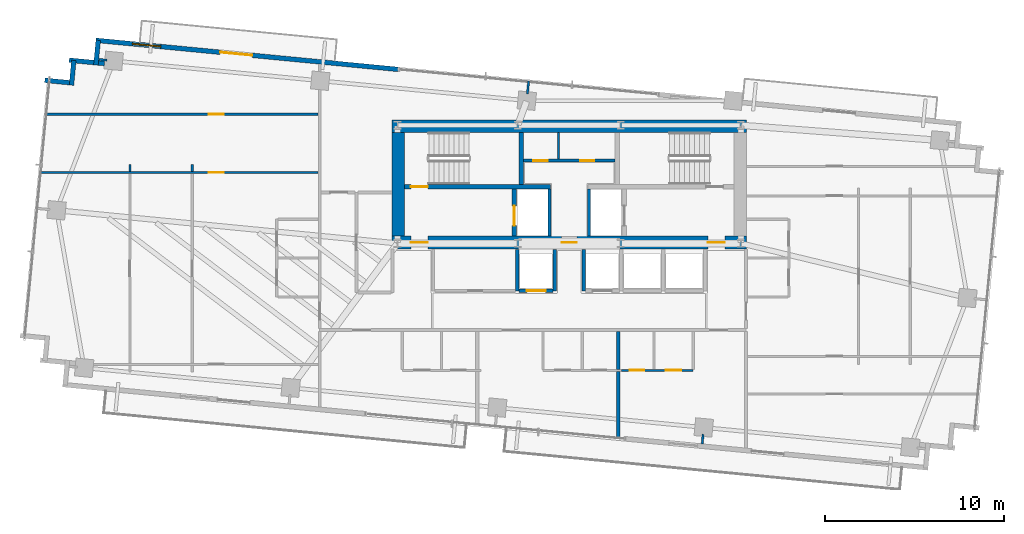
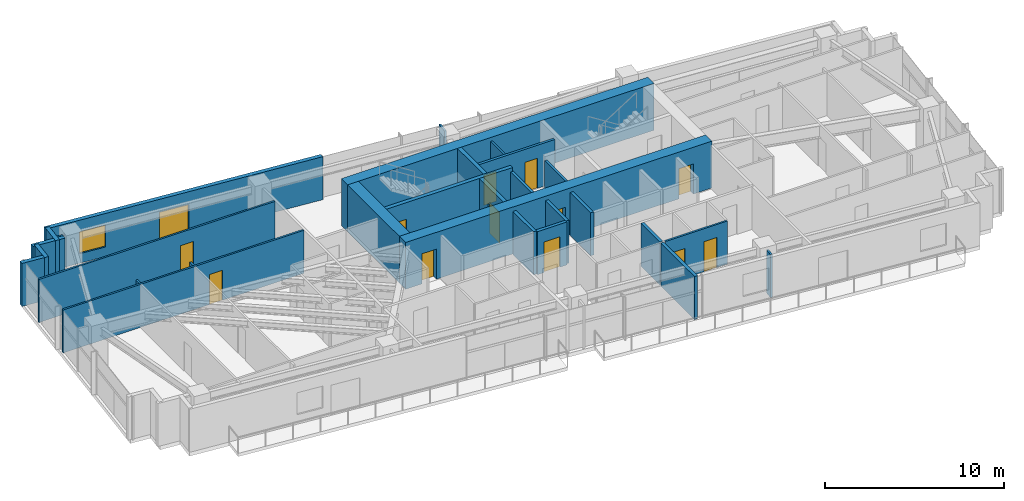
# One storey, part 16 of 20: 29 walls, 13 doors, 1 window, 14 openings.
"""IFC4 building model written with IfcOpenShell, lengths in metres."""

from ifc_helpers import new_model, si_unit, direction, frame, frame_2d, origin, place, context, subcontext, project, spatial, rectangle, extrude, source, transform, mapped, material, layer, layer_set, type_object, type_shapes, element, fill, save


model = new_model("IFC4")

# Units and contexts
model_context = context("Model", 3, precision=1e-05, world=origin(), true_north=direction((0.0, 1.0)))
body_context = subcontext(model_context, "Body", "Model", "MODEL_VIEW")
ifc_project = project(units=[si_unit("LENGTHUNIT", "METRE"), si_unit("AREAUNIT", "SQUARE_METRE"), si_unit("VOLUMEUNIT", "CUBIC_METRE"), si_unit("PLANEANGLEUNIT", "RADIAN"), si_unit("MASSUNIT", "GRAM", prefix="KILO")], contexts=[model_context])

# Site, building, storey
site_placement = place(None, origin())
site = spatial("IfcSite", under=ifc_project, at=site_placement, CompositionType="ELEMENT")
building_placement = place(site_placement, origin())
building = spatial("IfcBuilding", under=site, at=building_placement, Name="Astriad Promenade Condominiums", CompositionType="ELEMENT")
storey_placement = place(building_placement, frame((0.0, 0.0, 153.39990234375)))
storey = spatial("IfcBuildingStorey", under=building, at=storey_placement, Name="L44", CompositionType="ELEMENT", Elevation=153.39990234375)

# Wall, openings, doors
ifc_material_1 = material(Name="Concrete C60/75", Category="concrete")
ifc_layer_1 = layer(ifc_material_1, 0.699951171875)
ifc_layer_set_1 = layer_set([ifc_layer_1], Name="Concrete C60/75")
wall_type_1 = type_object("IfcWallType", Name="CW-SHEAR-700", PredefinedType="SHEAR", material=ifc_layer_set_1)
wall_1_placement = place(storey_placement, frame((26.10009765625, 17.449951171875, 0.0), z_axis=(0.0, 0.0, 1.0), x_axis=(1.0, 0.0, 0.0)))
wall_1 = element("IfcWall", 1, at=wall_1_placement, inside=storey, type_object=wall_type_1, Name="CW-CORE-S-L44", PredefinedType="SHEAR", context=body_context, shape_type="SweptSolid", body=[
    extrude(rectangle(XDim=19.7998046875, YDim=0.699951171875, at=frame_2d((9.89990234375, 0.0))), origin(), (0.0, 0.0, 1.0), 3.2001953125),
])
opening_1_placement = place(wall_1_placement, frame((1.050048828125, 0.0, 0.0)))
opening_1 = element("IfcOpeningElement", 2, at=opening_1_placement, cuts=wall_1, Name="Opening FD90-ST-095", PredefinedType="OPENING", context=body_context, shape_type="SweptSolid", body=[
    extrude(rectangle(XDim=0.949951171875, YDim=2.06005859375, at=frame_2d((0.47509765625, 1.030029296875))), frame((0.0, 0.35986328125, 0.0), z_axis=(0.0, -1.0, 0.0), x_axis=(1.0, 0.0, 0.0)), (0.0, 0.0, 1.0), 0.719970703125),
])
opening_2_placement = place(wall_1_placement, frame((9.47998046875, 0.0, 0.0)))
opening_2 = element("IfcOpeningElement", 3, at=opening_2_placement, cuts=wall_1, Name="Opening FD60-ULOW-085", PredefinedType="OPENING", context=body_context, shape_type="SweptSolid", body=[
    extrude(rectangle(XDim=0.85009765625, YDim=2.0, at=frame_2d((0.425048828125, 1.0))), frame((0.0, 0.35986328125, 0.0), z_axis=(0.0, -1.0, 0.0), x_axis=(1.0, 0.0, 0.0)), (0.0, 0.0, 1.0), 0.719970703125),
])
opening_3_placement = place(wall_1_placement, frame((17.64990234375, 0.0, 0.0)))
opening_3 = element("IfcOpeningElement", 4, at=opening_3_placement, cuts=wall_1, Name="Opening FD90-ST-095", PredefinedType="OPENING", context=body_context, shape_type="SweptSolid", body=[
    extrude(rectangle(XDim=0.949951171875, YDim=2.06005859375, at=frame_2d((0.47509765625, 1.030029296875))), frame((0.0, 0.35986328125, 0.0), z_axis=(0.0, -1.0, 0.0), x_axis=(1.0, 0.0, 0.0)), (0.0, 0.0, 1.0), 0.719970703125),
])
ifc_material_2 = material(Name="Fire-Rated Hollow Metal Stair Door")
door_type_1 = type_object("IfcDoorType", Name="FD90-ST-095", OperationType="NOTDEFINED", PredefinedType="DOOR", material=ifc_material_2)
shared_shape_1 = source(origin(), body_context, "Body", "SweptSolid", [
    extrude(rectangle(XDim=0.949951171875, YDim=2.06005859375, at=frame_2d((0.47509765625, 1.030029296875))), frame((0.0, 0.02490234375, 0.0), z_axis=(0.0, -1.0, 0.0), x_axis=(1.0, 0.0, 0.0)), (0.0, 0.0, 1.0), 0.050048828125),
])
type_shapes(door_type_1, [shared_shape_1])
door_1_placement = place(opening_1_placement, origin())
door_1 = element("IfcDoor", 5, at=door_1_placement, inside=storey, type_object=door_type_1, Name="D-FFW-L44", OperationType="SINGLE_SWING_LEFT", OverallHeight=2.06005859375, OverallWidth=0.949951171875, PredefinedType="DOOR", context=body_context, shape_type="MappedRepresentation", body=[
    mapped(shared_shape_1, transform((0.0, 0.0, 0.0), scale=1.0)),
])
fill(opening_1, door_1)
door_2_placement = place(opening_3_placement, origin())
door_2 = element("IfcDoor", 6, at=door_2_placement, inside=storey, type_object=door_type_1, Name="D-FFE-L44", OperationType="SINGLE_SWING_RIGHT", OverallHeight=2.06005859375, OverallWidth=0.949951171875, PredefinedType="DOOR", context=body_context, shape_type="MappedRepresentation", body=[
    mapped(shared_shape_1, transform((0.0, 0.0, 0.0), scale=1.0)),
])
fill(opening_3, door_2)
ifc_material_3 = material(Name="Solid-Core Low-Headroom Fire Door")
door_type_2 = type_object("IfcDoorType", Name="FD60-ULOW-085", OperationType="NOTDEFINED", PredefinedType="DOOR", material=ifc_material_3)
shared_shape_2 = source(origin(), body_context, "Body", "SweptSolid", [
    extrude(rectangle(XDim=0.85009765625, YDim=2.0, at=frame_2d((0.425048828125, 1.0))), frame((0.0, 0.02490234375, 0.0), z_axis=(0.0, -1.0, 0.0), x_axis=(1.0, 0.0, 0.0)), (0.0, 0.0, 1.0), 0.050048828125),
])
type_shapes(door_type_2, [shared_shape_2])
door_3_placement = place(opening_2_placement, origin())
door_3 = element("IfcDoor", 7, at=door_3_placement, inside=storey, type_object=door_type_2, Name="D-CSL-L44", OperationType="SINGLE_SWING_RIGHT", OverallHeight=2.0, OverallWidth=0.85009765625, PredefinedType="DOOR", context=body_context, shape_type="MappedRepresentation", body=[
    mapped(shared_shape_2, transform((0.0, 0.0, 0.0), scale=1.0)),
])
fill(opening_2, door_3)

# Walls
wall_2_placement = place(storey_placement, frame((26.10009765625, 23.949951171875, 0.0), z_axis=(0.0, 0.0, 1.0), x_axis=(1.0, 0.0, 0.0)))
element("IfcWall", 8, at=wall_2_placement, inside=storey, type_object=wall_type_1, Name="CW-CORE-N-L44", PredefinedType="SHEAR", context=body_context, shape_type="SweptSolid", body=[
    extrude(rectangle(XDim=19.7998046875, YDim=0.699951171875, at=frame_2d((9.89990234375, 0.0))), origin(), (0.0, 0.0, 1.0), 3.2001953125),
])
wall_3_placement = place(storey_placement, frame((26.449951171875, 17.802001953125, 0.0), z_axis=(0.0, 0.0, 1.0), x_axis=(0.0, 1.0, 0.0)))
element("IfcWall", 9, at=wall_3_placement, inside=storey, type_object=wall_type_1, Name="CW-CORE-W-L44", PredefinedType="SHEAR", context=body_context, shape_type="SweptSolid", body=[
    extrude(rectangle(XDim=5.7958984375, YDim=0.699951171875, at=frame_2d((2.89794921875, 0.0))), origin(), (0.0, 0.0, 1.0), 3.2001953125),
])

# Wall, opening, door
ifc_material_4 = material(Name="Concrete C50/60", Category="concrete")
ifc_layer_2 = layer(ifc_material_4, 0.25)
ifc_layer_set_2 = layer_set([ifc_layer_2], Name="Concrete C50/60")
wall_type_2 = type_object("IfcWallType", Name="WALL-CORE-INT-250", PredefinedType="SOLIDWALL", material=ifc_layer_set_2)
wall_4_placement = place(storey_placement, frame((26.802001953125, 20.574951171875, 0.0), z_axis=(0.0, 0.0, 1.0), x_axis=(1.0, 0.0, 0.0)))
wall_4 = element("IfcWall", 10, at=wall_4_placement, inside=storey, type_object=wall_type_2, Name="CW-INT-H1-L44", PredefinedType="SOLIDWALL", context=body_context, shape_type="SweptSolid", body=[
    extrude(rectangle(XDim=8.14794921875, YDim=0.25, at=frame_2d((4.073974609375, 0.0))), origin(), (0.0, 0.0, 1.0), 3.2001953125),
])
opening_4_placement = place(wall_4_placement, frame((0.347900390625, 0.0, 0.0)))
opening_4 = element("IfcOpeningElement", 11, at=opening_4_placement, cuts=wall_4, Name="Opening FD90-ST-095", PredefinedType="OPENING", context=body_context, shape_type="SweptSolid", body=[
    extrude(rectangle(XDim=0.949951171875, YDim=2.06005859375, at=frame_2d((0.47509765625, 1.030029296875))), frame((0.0, 0.135009765625, 0.0), z_axis=(0.0, -1.0, 0.0), x_axis=(1.0, 0.0, 0.0)), (0.0, 0.0, 1.0), 0.27001953125),
])
door_4_placement = place(opening_4_placement, origin())
door_4 = element("IfcDoor", 12, at=door_4_placement, inside=storey, type_object=door_type_1, Name="D-ST1-L44", OperationType="SINGLE_SWING_LEFT", OverallHeight=2.06005859375, OverallWidth=0.949951171875, PredefinedType="DOOR", context=body_context, shape_type="MappedRepresentation", body=[
    mapped(shared_shape_1, transform((0.0, 0.0, 0.0), scale=1.0)),
])
fill(opening_4, door_4)

# Wall
wall_5_placement = place(storey_placement, frame((33.324951171875, 20.701904296875, 0.0), z_axis=(0.0, 0.0, 1.0), x_axis=(0.0, 1.0, 0.0)))
element("IfcWall", 13, at=wall_5_placement, inside=storey, type_object=wall_type_2, Name="CW-ST1-E-L44", PredefinedType="SOLIDWALL", context=body_context, shape_type="SweptSolid", body=[
    extrude(rectangle(XDim=2.89599609375, YDim=0.25, at=frame_2d((1.447998046875, 0.0))), origin(), (0.0, 0.0, 1.0), 3.2001953125),
])

# Wall, opening, door
wall_6_placement = place(storey_placement, frame((32.925048828125, 17.802001953125, 0.0), z_axis=(0.0, 0.0, 1.0), x_axis=(0.0, 1.0, 0.0)))
wall_6 = element("IfcWall", 14, at=wall_6_placement, inside=storey, type_object=wall_type_2, Name="CW-FFL1-W-L44", PredefinedType="SOLIDWALL", context=body_context, shape_type="SweptSolid", body=[
    extrude(rectangle(XDim=2.64599609375, YDim=0.25, at=frame_2d((1.322998046875, 0.0))), origin(), (0.0, 0.0, 1.0), 3.2001953125),
])
opening_5_placement = place(wall_6_placement, frame((0.597900390625, 0.0, 0.0)))
opening_5 = element("IfcOpeningElement", 15, at=opening_5_placement, cuts=wall_6, Name="Opening LD-FFL-1122", PredefinedType="OPENING", context=body_context, shape_type="SweptSolid", body=[
    extrude(rectangle(XDim=1.10009765625, YDim=2.080078125, at=frame_2d((0.550048828125, 1.0400390625))), frame((0.0, 0.135009765625, 0.0), z_axis=(0.0, -1.0, 0.0), x_axis=(1.0, 0.0, 0.0)), (0.0, 0.0, 1.0), 0.27001953125),
])
ifc_material_5 = material(Name="Brushed Stainless Steel Fire Elevator Landing Door", Category="steel")
door_type_3 = type_object("IfcDoorType", Name="LD-FFL-1122", OperationType="NOTDEFINED", PredefinedType="DOOR", material=ifc_material_5)
shared_shape_3 = source(origin(), body_context, "Body", "SweptSolid", [
    extrude(rectangle(XDim=1.10009765625, YDim=2.080078125, at=frame_2d((0.550048828125, 1.0400390625))), frame((0.0, 0.02490234375, 0.0), z_axis=(0.0, -1.0, 0.0), x_axis=(1.0, 0.0, 0.0)), (0.0, 0.0, 1.0), 0.050048828125),
])
type_shapes(door_type_3, [shared_shape_3])
door_5_placement = place(opening_5_placement, origin())
door_5 = element("IfcDoor", 16, at=door_5_placement, inside=storey, type_object=door_type_3, Name="Elevator Landing Door FFL-1 (L44)", OperationType="SLIDING_TO_LEFT", OverallHeight=2.080078125, OverallWidth=1.10009765625, PredefinedType="DOOR", context=body_context, shape_type="MappedRepresentation", body=[
    mapped(shared_shape_3, transform((0.0, 0.0, 0.0), scale=1.0)),
])
fill(opening_5, door_5)

# Walls
ifc_material_6 = material(Name="Fire-Rated Gypsum Partition")
ifc_layer_3 = layer(ifc_material_6, 0.159912109375)
ifc_layer_set_3 = layer_set([ifc_layer_3], Name="Fire-Rated Gypsum Partition")
wall_type_3 = type_object("IfcWallType", Name="WALL-CORR-160", PredefinedType="PARTITIONING", material=ifc_layer_set_3)
for number, where, z_axis, x_axis, name in (
    (17, (34.89990234375, 17.802001953125, 0.0), (0.0, 0.0, 1.0), (0.0, 1.0, 0.0), "CW-FFL1-E-L44"),
    (18, (37.10009765625, 17.802001953125, 0.0), (0.0, 0.0, 1.0), (0.0, 1.0, 0.0), "CW-FFL2-W-L44"),
):
    element("IfcWall", number, at=place(storey_placement, frame(where, z_axis=z_axis, x_axis=x_axis)), inside=storey, type_object=wall_type_3, Name=name, PredefinedType="PARTITIONING", context=body_context, shape_type="SweptSolid", body=[
        extrude(rectangle(XDim=2.64599609375, YDim=0.159912109375, at=frame_2d((1.322998046875, 0.0))), origin(), (0.0, 0.0, 1.0), 2.940185546875),
    ])

# Wall, openings, doors
wall_7_placement = place(storey_placement, frame((33.451904296875, 22.030029296875, 0.0), z_axis=(0.0, 0.0, 1.0), x_axis=(1.0, 0.0, 0.0)))
wall_7 = element("IfcWall", 19, at=wall_7_placement, inside=storey, type_object=wall_type_3, Name="CW-AUX-N-L44", PredefinedType="PARTITIONING", context=body_context, shape_type="SweptSolid", body=[
    extrude(rectangle(XDim=5.09619140625, YDim=0.159912109375, at=frame_2d((2.548095703125, 0.0))), origin(), (0.0, 0.0, 1.0), 2.940185546875),
])
opening_6_placement = place(wall_7_placement, frame((0.5380859375, 0.0, 0.0)))
opening_6 = element("IfcOpeningElement", 20, at=opening_6_placement, cuts=wall_7, Name="Opening FD60-SV-080", PredefinedType="OPENING", context=body_context, shape_type="SweptSolid", body=[
    extrude(rectangle(XDim=0.800048828125, YDim=2.050048828125, at=frame_2d((0.39990234375, 1.02490234375))), frame((0.0, 0.08984375, 0.0), z_axis=(0.0, -1.0, 0.0), x_axis=(1.0, 0.0, 0.0)), (0.0, 0.0, 1.0), 0.179931640625),
])
opening_7_placement = place(wall_7_placement, frame((3.157958984375, 0.0, 0.0)))
opening_7 = element("IfcOpeningElement", 21, at=opening_7_placement, cuts=wall_7, Name="Opening FD60-SV-080", PredefinedType="OPENING", context=body_context, shape_type="SweptSolid", body=[
    extrude(rectangle(XDim=0.800048828125, YDim=2.050048828125, at=frame_2d((0.39990234375, 1.02490234375))), frame((0.0, 0.08984375, 0.0), z_axis=(0.0, -1.0, 0.0), x_axis=(1.0, 0.0, 0.0)), (0.0, 0.0, 1.0), 0.179931640625),
])
ifc_material_7 = material(Name="Fire-Rated Riser Closet Door")
door_type_4 = type_object("IfcDoorType", Name="FD60-SV-080", OperationType="NOTDEFINED", PredefinedType="DOOR", material=ifc_material_7)
shared_shape_4 = source(origin(), body_context, "Body", "SweptSolid", [
    extrude(rectangle(XDim=0.800048828125, YDim=2.050048828125, at=frame_2d((0.39990234375, 1.02490234375))), frame((0.0, 0.02490234375, 0.0), z_axis=(0.0, -1.0, 0.0), x_axis=(1.0, 0.0, 0.0)), (0.0, 0.0, 1.0), 0.050048828125),
])
type_shapes(door_type_4, [shared_shape_4])
door_6_placement = place(opening_6_placement, origin())
door_6 = element("IfcDoor", 22, at=door_6_placement, inside=storey, type_object=door_type_4, Name="D-AUX1-L44", OperationType="SINGLE_SWING_LEFT", OverallHeight=2.050048828125, OverallWidth=0.800048828125, PredefinedType="DOOR", context=body_context, shape_type="MappedRepresentation", body=[
    mapped(shared_shape_4, transform((0.0, 0.0, 0.0), scale=1.0)),
])
fill(opening_6, door_6)
door_7_placement = place(opening_7_placement, origin())
door_7 = element("IfcDoor", 23, at=door_7_placement, inside=storey, type_object=door_type_4, Name="D-AUX2-L44", OperationType="SINGLE_SWING_RIGHT", OverallHeight=2.050048828125, OverallWidth=0.800048828125, PredefinedType="DOOR", context=body_context, shape_type="MappedRepresentation", body=[
    mapped(shared_shape_4, transform((0.0, 0.0, 0.0), scale=1.0)),
])
fill(opening_7, door_7)

# Walls
ifc_material_8 = material(Name="Acoustic Double-Stud Gypsum Partition")
ifc_layer_4 = layer(ifc_material_8, 0.199951171875)
ifc_layer_set_4 = layer_set([ifc_layer_4], Name="Acoustic Double-Stud Gypsum Partition")
wall_type_4 = type_object("IfcWallType", Name="WALL-DEMISING-200", PredefinedType="PARTITIONING", material=ifc_layer_set_4)
wall_8_placement = place(storey_placement, frame((38.73095703125, 6.464111328125, 0.0), z_axis=(0.0, 0.0, 1.0), x_axis=(0.0, 1.0, 0.0)))
element("IfcWall", 24, at=wall_8_placement, inside=storey, type_object=wall_type_4, Name="PT-DEM-S2-L44", PredefinedType="PARTITIONING", context=body_context, shape_type="SweptSolid", body=[
    extrude(rectangle(XDim=3.77392578125, YDim=0.199951171875, at=frame_2d((1.886962890625, 0.0))), origin(), (0.0, 0.0, 1.0), 2.940185546875),
])
wall_9_placement = place(storey_placement, frame((38.73095703125, 10.362060546875, 0.0), z_axis=(0.0, 0.0, 1.0), x_axis=(0.0, 1.0, 0.0)))
element("IfcWall", 25, at=wall_9_placement, inside=storey, type_object=wall_type_4, Name="PT-DEM-S2-L44-S2", PredefinedType="PARTITIONING", context=body_context, shape_type="SweptSolid", body=[
    extrude(rectangle(XDim=2.10595703125, YDim=0.199951171875, at=frame_2d((1.052978515625, 0.0))), origin(), (0.0, 0.0, 1.0), 2.940185546875),
])
ifc_material_9 = material(Name="Precast concrete C50/60", Category="concrete")
ifc_layer_5 = layer(ifc_material_9, 0.260009765625)
ifc_layer_set_5 = layer_set([ifc_layer_5], Name="Precast concrete C50/60")
wall_type_5 = type_object("IfcWallType", Name="WALL-EXT-TWR-260", PredefinedType="STANDARD", material=ifc_layer_set_5)
wall_10_placement = place(storey_placement, frame((6.68115234375, 26.518310546875, 0.0), z_axis=(0.0, 0.0, 1.0), x_axis=(0.995389446633, -0.095915846097, 0.0)))
element("IfcWall", 26, at=wall_10_placement, inside=storey, type_object=wall_type_5, Name="W-SER-L44-04", PredefinedType="STANDARD", context=body_context, shape_type="SweptSolid", body=[
    extrude(rectangle(XDim=1.394775390625, YDim=0.260009765625, at=frame_2d((0.697265625, 0.0))), origin(), (0.0, 0.0, 1.0), 2.940185546875),
])
wall_11_placement = place(storey_placement, frame((8.171875, 26.243896484375, 0.0), z_axis=(0.0, 0.0, 1.0), x_axis=(0.095725744959, 0.99540774648, 0.0)))
element("IfcWall", 27, at=wall_11_placement, inside=storey, type_object=wall_type_5, Name="W-SER-L44-05", PredefinedType="STANDARD", context=body_context, shape_type="SweptSolid", body=[
    extrude(rectangle(XDim=1.39501953125, YDim=0.260009765625, at=frame_2d((0.697509765625, 0.0))), origin(), (0.0, 0.0, 1.0), 2.940185546875),
])
wall_12_placement = place(storey_placement, frame((8.045166015625, 27.642578125, 0.0), z_axis=(0.0, 0.0, 1.0), x_axis=(0.995391147587, -0.095898192396, 0.0)))
element("IfcWall", 28, at=wall_12_placement, inside=storey, type_object=wall_type_5, Name="W-SER-L44-06", PredefinedType="STANDARD", context=body_context, shape_type="SweptSolid", body=[
    extrude(rectangle(XDim=1.97802734375, YDim=0.260009765625, at=frame_2d((0.989013671875, 0.0))), origin(), (0.0, 0.0, 1.0), 2.940185546875),
])
wall_13_placement = place(storey_placement, frame((9.535888671875, 27.368408203125, 0.0), z_axis=(0.0, 0.0, 1.0), x_axis=(0.095915846097, 0.995389446633, 0.0)))
element("IfcWall", 29, at=wall_13_placement, inside=storey, type_object=wall_type_5, Name="W-SER-L44-07", PredefinedType="STANDARD", context=body_context, shape_type="SweptSolid", body=[
    extrude(rectangle(XDim=1.394775390625, YDim=0.260009765625, at=frame_2d((0.697265625, 0.0))), origin(), (0.0, 0.0, 1.0), 2.940185546875),
])

# Wall, openings, door, window
wall_14_placement = place(storey_placement, frame((9.538818359375, 28.75439453125, 0.0), z_axis=(0.0, 0.0, 1.0), x_axis=(0.995397345886, -0.09583383433, 0.0)))
wall_14 = element("IfcWall", 30, at=wall_14_placement, inside=storey, type_object=wall_type_5, Name="W-EXT-L44-N1", PredefinedType="STANDARD", context=body_context, shape_type="SweptSolid", body=[
    extrude(rectangle(XDim=17.010009765625, YDim=0.260009765625, at=frame_2d((8.5048828125, 0.0))), origin(), (0.0, 0.0, 1.0), 2.940185546875),
])
opening_8_placement = place(wall_14_placement, frame((6.97412109375, 0.0, 0.0)))
opening_8 = element("IfcOpeningElement", 31, at=opening_8_placement, cuts=wall_14, Name="Opening BD-1822-SLD", PredefinedType="OPENING", context=body_context, shape_type="SweptSolid", body=[
    extrude(rectangle(XDim=1.800048828125, YDim=2.06005859375, at=frame_2d((0.89990234375, 1.030029296875))), frame((0.0, 0.139892578125, 0.0), z_axis=(0.0, -1.0, 0.0), x_axis=(1.0, 0.0, 0.0)), (0.0, 0.0, 1.0), 0.280029296875),
])
opening_9_placement = place(wall_14_placement, frame((2.050048828125, 0.0, 0.64990234375)))
opening_9 = element("IfcOpeningElement", 32, at=opening_9_placement, cuts=wall_14, Name="Opening WIN-TWR-1620", PredefinedType="OPENING", context=body_context, shape_type="SweptSolid", body=[
    extrude(rectangle(XDim=1.60009765625, YDim=1.5, at=frame_2d((0.800048828125, 0.75))), frame((0.0, 0.139892578125, 0.0), z_axis=(0.0, -1.0, 0.0), x_axis=(1.0, 0.0, 0.0)), (0.0, 0.0, 1.0), 0.280029296875),
])
ifc_material_10 = material(Name="Thermally Broken Aluminium Sliding Balcony Door", Category="aluminium")
door_type_5 = type_object("IfcDoorType", Name="BD-1822-SLD", OperationType="NOTDEFINED", PredefinedType="DOOR", material=ifc_material_10)
shared_shape_5 = source(origin(), body_context, "Body", "SweptSolid", [
    extrude(rectangle(XDim=1.800048828125, YDim=2.06005859375, at=frame_2d((0.89990234375, 1.030029296875))), frame((0.0, 0.02490234375, 0.0), z_axis=(0.0, -1.0, 0.0), x_axis=(1.0, 0.0, 0.0)), (0.0, 0.0, 1.0), 0.050048828125),
])
type_shapes(door_type_5, [shared_shape_5])
door_8_placement = place(opening_8_placement, origin())
door_8 = element("IfcDoor", 33, at=door_8_placement, inside=storey, type_object=door_type_5, Name="BD-L44-NW", OperationType="SLIDING_TO_LEFT", OverallHeight=2.06005859375, OverallWidth=1.800048828125, PredefinedType="DOOR", context=body_context, shape_type="MappedRepresentation", body=[
    mapped(shared_shape_5, transform((0.0, 0.0, 0.0), scale=1.0)),
])
fill(opening_8, door_8)
ifc_material_11 = material(Name="Dark Tinted Triple-Glazed Aluminium Window", Category="aluminium")
window_type = type_object("IfcWindowType", Name="WIN-TWR-1620", PartitioningType="SINGLE_PANEL", PredefinedType="WINDOW", material=ifc_material_11)
shared_shape_6 = source(origin(), body_context, "Body", "SweptSolid", [
    extrude(rectangle(XDim=1.60009765625, YDim=1.5, at=frame_2d((0.800048828125, 0.75))), frame((0.0, 0.030029296875, 0.0), z_axis=(0.0, -1.0, 0.0), x_axis=(1.0, 0.0, 0.0)), (0.0, 0.0, 1.0), 0.06005859375),
])
type_shapes(window_type, [shared_shape_6])
window_placement = place(opening_9_placement, origin())
window = element("IfcWindow", 34, at=window_placement, inside=storey, type_object=window_type, Name="WIN-L44-NW", OverallHeight=1.5, OverallWidth=1.60009765625, PartitioningType="SINGLE_PANEL", PredefinedType="WINDOW", context=body_context, shape_type="MappedRepresentation", body=[
    mapped(shared_shape_6, transform((0.0, 0.0, 0.0), scale=1.0)),
])
fill(opening_9, window)

# Wall
ifc_material_12 = material(Name="Acoustic Metal-Stud Gypsum Partition")
ifc_layer_6 = layer(ifc_material_12, 0.1201171875)
ifc_layer_set_6 = layer_set([ifc_layer_6], Name="Acoustic Metal-Stud Gypsum Partition")
wall_type_6 = type_object("IfcWallType", Name="WALL-PART-120", PredefinedType="PARTITIONING", material=ifc_layer_set_6)
wall_15_placement = place(storey_placement, frame((35.39990234375, 22.112060546875, 0.0), z_axis=(0.0, 0.0, 1.0), x_axis=(0.0, 1.0, 0.0)))
element("IfcWall", 35, at=wall_15_placement, inside=storey, type_object=wall_type_6, Name="CW-AUX-V1-L44", PredefinedType="PARTITIONING", context=body_context, shape_type="SweptSolid", body=[
    extrude(rectangle(XDim=1.48583984375, YDim=0.1201171875, at=frame_2d((0.742919921875, 0.0))), origin(), (0.0, 0.0, 1.0), 2.940185546875),
])

# Wall, openings, doors
wall_16_placement = place(storey_placement, frame((38.930908203125, 10.300048828125, 0.0), z_axis=(0.0, 0.0, 1.0), x_axis=(1.0, 0.0, 0.0)))
wall_16 = element("IfcWall", 36, at=wall_16_placement, inside=storey, type_object=wall_type_6, Name="PT-L44-S3-PS", PredefinedType="PARTITIONING", context=body_context, shape_type="SweptSolid", body=[
    extrude(rectangle(XDim=4.0, YDim=0.1201171875, at=frame_2d((2.0, 0.0))), origin(), (0.0, 0.0, 1.0), 2.940185546875),
])
opening_10_placement = place(wall_16_placement, frame((0.449951171875, 0.0, 0.0)))
opening_10 = element("IfcOpeningElement", 37, at=opening_10_placement, cuts=wall_16, Name="Opening D-WET-080", PredefinedType="OPENING", context=body_context, shape_type="SweptSolid", body=[
    extrude(rectangle(XDim=0.800048828125, YDim=2.02001953125, at=frame_2d((0.39990234375, 1.010009765625))), frame((0.0, 0.070068359375, 0.0), z_axis=(0.0, -1.0, 0.0), x_axis=(1.0, 0.0, 0.0)), (0.0, 0.0, 1.0), 0.14013671875),
])
opening_11_placement = place(wall_16_placement, frame((2.47509765625, 0.0, 0.0)))
opening_11 = element("IfcOpeningElement", 38, at=opening_11_placement, cuts=wall_16, Name="Opening D-INT-085", PredefinedType="OPENING", context=body_context, shape_type="SweptSolid", body=[
    extrude(rectangle(XDim=0.85009765625, YDim=2.050048828125, at=frame_2d((0.425048828125, 1.02490234375))), frame((0.0, 0.070068359375, 0.0), z_axis=(0.0, -1.0, 0.0), x_axis=(1.0, 0.0, 0.0)), (0.0, 0.0, 1.0), 0.14013671875),
])
ifc_material_13 = material(Name="Moisture-Resistant Timber Bathroom Door", Category="wood")
door_type_6 = type_object("IfcDoorType", Name="D-WET-080", OperationType="NOTDEFINED", PredefinedType="DOOR", material=ifc_material_13)
shared_shape_7 = source(origin(), body_context, "Body", "SweptSolid", [
    extrude(rectangle(XDim=0.800048828125, YDim=2.02001953125, at=frame_2d((0.39990234375, 1.010009765625))), frame((0.0, 0.02490234375, 0.0), z_axis=(0.0, -1.0, 0.0), x_axis=(1.0, 0.0, 0.0)), (0.0, 0.0, 1.0), 0.050048828125),
])
type_shapes(door_type_6, [shared_shape_7])
door_9_placement = place(opening_10_placement, origin())
door_9 = element("IfcDoor", 39, at=door_9_placement, inside=storey, type_object=door_type_6, Name="D-BTH-L44-S3", OperationType="SINGLE_SWING_LEFT", OverallHeight=2.02001953125, OverallWidth=0.800048828125, PredefinedType="DOOR", context=body_context, shape_type="MappedRepresentation", body=[
    mapped(shared_shape_7, transform((0.0, 0.0, 0.0), scale=1.0)),
])
fill(opening_10, door_9)
ifc_material_14 = material(Name="Painted Solid-Core Timber Room Door", Category="wood")
door_type_7 = type_object("IfcDoorType", Name="D-INT-085", OperationType="NOTDEFINED", PredefinedType="DOOR", material=ifc_material_14)
shared_shape_8 = source(origin(), body_context, "Body", "SweptSolid", [
    extrude(rectangle(XDim=0.85009765625, YDim=2.050048828125, at=frame_2d((0.425048828125, 1.02490234375))), frame((0.0, 0.02490234375, 0.0), z_axis=(0.0, -1.0, 0.0), x_axis=(1.0, 0.0, 0.0)), (0.0, 0.0, 1.0), 0.050048828125),
])
type_shapes(door_type_7, [shared_shape_8])
door_10_placement = place(opening_11_placement, origin())
door_10 = element("IfcDoor", 40, at=door_10_placement, inside=storey, type_object=door_type_7, Name="D-KIT-L44-S3", OperationType="SINGLE_SWING_RIGHT", OverallHeight=2.050048828125, OverallWidth=0.85009765625, PredefinedType="DOOR", context=body_context, shape_type="MappedRepresentation", body=[
    mapped(shared_shape_8, transform((0.0, 0.0, 0.0), scale=1.0)),
])
fill(opening_11, door_10)

# Wall, opening, door
wall_17_placement = place(storey_placement, frame((6.709228515625, 24.617919921875, 0.0), z_axis=(0.0, 0.0, 1.0), x_axis=(1.0, 0.0, 0.0)))
wall_17 = element("IfcWall", 41, at=wall_17_placement, inside=storey, type_object=wall_type_6, Name="PT-L44-W1-WDN1", PredefinedType="PARTITIONING", context=body_context, shape_type="SweptSolid", body=[
    extrude(rectangle(XDim=15.2587890625, YDim=0.1201171875, at=frame_2d((7.62939453125, 0.0))), origin(), (0.0, 0.0, 1.0), 2.940185546875),
])
opening_12_placement = place(wall_17_placement, frame((9.13671875, 0.0, 0.0)))
opening_12 = element("IfcOpeningElement", 42, at=opening_12_placement, cuts=wall_17, Name="Opening D-INT-085", PredefinedType="OPENING", context=body_context, shape_type="SweptSolid", body=[
    extrude(rectangle(XDim=0.85009765625, YDim=2.050048828125, at=frame_2d((0.425048828125, 1.02490234375))), frame((0.0, 0.070068359375, 0.0), z_axis=(0.0, -1.0, 0.0), x_axis=(1.0, 0.0, 0.0)), (0.0, 0.0, 1.0), 0.14013671875),
])
door_11_placement = place(opening_12_placement, origin())
door_11 = element("IfcDoor", 43, at=door_11_placement, inside=storey, type_object=door_type_7, Name="D-WDN1-L44-W1", OperationType="SINGLE_SWING_RIGHT", OverallHeight=2.050048828125, OverallWidth=0.85009765625, PredefinedType="DOOR", context=body_context, shape_type="MappedRepresentation", body=[
    mapped(shared_shape_8, transform((0.0, 0.0, 0.0), scale=1.0)),
])
fill(opening_12, door_11)

wall_18_placement = place(storey_placement, frame((6.39599609375, 21.364013671875, 0.0), z_axis=(0.0, 0.0, 1.0), x_axis=(1.0, 0.0, 0.0)))
wall_18 = element("IfcWall", 44, at=wall_18_placement, inside=storey, type_object=wall_type_6, Name="PT-L44-W1-WDN2", PredefinedType="PARTITIONING", context=body_context, shape_type="SweptSolid", body=[
    extrude(rectangle(XDim=15.572021484375, YDim=0.1201171875, at=frame_2d((7.7861328125, 0.0))), origin(), (0.0, 0.0, 1.0), 2.940185546875),
])
opening_13_placement = place(wall_18_placement, frame((9.4501953125, 0.0, 0.0)))
opening_13 = element("IfcOpeningElement", 45, at=opening_13_placement, cuts=wall_18, Name="Opening D-INT-085", PredefinedType="OPENING", context=body_context, shape_type="SweptSolid", body=[
    extrude(rectangle(XDim=0.85009765625, YDim=2.050048828125, at=frame_2d((0.425048828125, 1.02490234375))), frame((0.0, 0.070068359375, 0.0), z_axis=(0.0, -1.0, 0.0), x_axis=(1.0, 0.0, 0.0)), (0.0, 0.0, 1.0), 0.14013671875),
])
door_12_placement = place(opening_13_placement, origin())
door_12 = element("IfcDoor", 46, at=door_12_placement, inside=storey, type_object=door_type_7, Name="D-WDN2-L44-W1", OperationType="SINGLE_SWING_LEFT", OverallHeight=2.050048828125, OverallWidth=0.85009765625, PredefinedType="DOOR", context=body_context, shape_type="MappedRepresentation", body=[
    mapped(shared_shape_8, transform((0.0, 0.0, 0.0), scale=1.0)),
])
fill(opening_13, door_12)

# Walls
for number, where, z_axis, x_axis, name in (
    (47, (11.43701171875, 21.426025390625, 0.0), (0.0, 0.0, 1.0), (0.0, 1.0, 0.0), "PT-L44-W1-WDV4-S3"),
    (48, (14.9208984375, 21.426025390625, 0.0), (0.0, 0.0, 1.0), (0.0, 1.0, 0.0), "PT-L44-W1-WDV5-S3"),
):
    element("IfcWall", number, at=place(storey_placement, frame(where, z_axis=z_axis, x_axis=x_axis)), inside=storey, type_object=wall_type_6, Name=name, PredefinedType="PARTITIONING", context=body_context, shape_type="SweptSolid", body=[
        extrude(rectangle(XDim=0.3779296875, YDim=0.1201171875, at=frame_2d((0.18896484375, 0.0))), origin(), (0.0, 0.0, 1.0), 2.940185546875),
    ])
wall_19_placement = place(storey_placement, frame((43.48388671875, 6.7294921875, 0.0), z_axis=(0.0, 0.0, 1.0), x_axis=(-0.095772948675, -0.995403205893, 0.0)))
element("IfcWall", 49, at=wall_19_placement, inside=storey, type_object=wall_type_6, Name="PT-PIL-L44-PC04-11", PredefinedType="PARTITIONING", context=body_context, shape_type="SweptSolid", body=[
    extrude(rectangle(XDim=0.537841796875, YDim=0.1201171875, at=frame_2d((0.26904296875, 0.0))), origin(), (0.0, 0.0, 1.0), 2.940185546875),
])
wall_20_placement = place(storey_placement, frame((10.15478515625, 27.640380859375, 0.0), z_axis=(0.0, 0.0, 1.0), x_axis=(-0.995435366701, 0.095438098896, 0.0)))
element("IfcWall", 50, at=wall_20_placement, inside=storey, type_object=wall_type_6, Name="PT-PIL-L44-PC06-13", PredefinedType="PARTITIONING", context=body_context, shape_type="SweptSolid", body=[
    extrude(rectangle(XDim=0.4580078125, YDim=0.1201171875, at=frame_2d((0.22900390625, 0.0))), origin(), (0.0, 0.0, 1.0), 2.940185546875),
])
wall_21_placement = place(storey_placement, frame((33.66259765625, 25.758544921875, 0.0), z_axis=(0.0, 0.0, 1.0), x_axis=(0.095977354523, 0.995383517755, 0.0)))
element("IfcWall", 51, at=wall_21_placement, inside=storey, type_object=wall_type_6, Name="PT-PIL-L44-PC08-15", PredefinedType="PARTITIONING", context=body_context, shape_type="SweptSolid", body=[
    extrude(rectangle(XDim=0.719970703125, YDim=0.1201171875, at=frame_2d((0.35986328125, 0.0))), origin(), (0.0, 0.0, 1.0), 2.940185546875),
])
ifc_material_15 = material(Name="Gypsum Shaftliner Assembly")
ifc_layer_7 = layer(ifc_material_15, 0.199951171875)
ifc_layer_set_7 = layer_set([ifc_layer_7], Name="Gypsum Shaftliner Assembly")
wall_type_7 = type_object("IfcWallType", Name="WALL-SHAFT-200", PredefinedType="PARTITIONING", material=ifc_layer_set_7)
for number, where, z_axis, x_axis, name in (
    (52, (33.10009765625, 14.75, 0.0), (0.0, 0.0, 1.0), (0.0, 1.0, 0.0), "REC-L-E-L44"),
    (53, (35.199951171875, 14.75, 0.0), (0.0, 0.0, 1.0), (0.0, 1.0, 0.0), "PL-M1-E-L44"),
):
    element("IfcWall", number, at=place(storey_placement, frame(where, z_axis=z_axis, x_axis=x_axis)), inside=storey, type_object=wall_type_7, Name=name, PredefinedType="PARTITIONING", context=body_context, shape_type="SweptSolid", body=[
        extrude(rectangle(XDim=2.300048828125, YDim=0.199951171875, at=frame_2d((1.14990234375, 0.0))), origin(), (0.0, 0.0, 1.0), 2.940185546875),
    ])

# Wall, opening, door
wall_22_placement = place(storey_placement, frame((33.201904296875, 14.75, 0.0), z_axis=(0.0, 0.0, 1.0), x_axis=(1.0, 0.0, 0.0)))
wall_22 = element("IfcWall", 54, at=wall_22_placement, inside=storey, type_object=wall_type_7, Name="PL-M1-F-L44", PredefinedType="PARTITIONING", context=body_context, shape_type="SweptSolid", body=[
    extrude(rectangle(XDim=1.89599609375, YDim=0.199951171875, at=frame_2d((0.947998046875, 0.0))), origin(), (0.0, 0.0, 1.0), 2.940185546875),
])
opening_14_placement = place(wall_22_placement, frame((0.423095703125, 0.0, 0.0)))
opening_14 = element("IfcOpeningElement", 55, at=opening_14_placement, cuts=wall_22, Name="Opening LD-PL-10522", PredefinedType="OPENING", context=body_context, shape_type="SweptSolid", body=[
    extrude(rectangle(XDim=1.050048828125, YDim=2.080078125, at=frame_2d((0.52490234375, 1.0400390625))), frame((0.0, 0.10986328125, 0.0), z_axis=(0.0, -1.0, 0.0), x_axis=(1.0, 0.0, 0.0)), (0.0, 0.0, 1.0), 0.219970703125),
])
ifc_material_16 = material(Name="Brushed Bronze Passenger Elevator Landing Door")
door_type_8 = type_object("IfcDoorType", Name="LD-PL-10522", OperationType="NOTDEFINED", PredefinedType="DOOR", material=ifc_material_16)
shared_shape_9 = source(origin(), body_context, "Body", "SweptSolid", [
    extrude(rectangle(XDim=1.050048828125, YDim=2.080078125, at=frame_2d((0.52490234375, 1.0400390625))), frame((0.0, 0.02490234375, 0.0), z_axis=(0.0, -1.0, 0.0), x_axis=(1.0, 0.0, 0.0)), (0.0, 0.0, 1.0), 0.050048828125),
])
type_shapes(door_type_8, [shared_shape_9])
door_13_placement = place(opening_14_placement, origin())
door_13 = element("IfcDoor", 56, at=door_13_placement, inside=storey, type_object=door_type_8, Name="Elevator Landing Door PL-M1 (L44)", OperationType="SLIDING_TO_LEFT", OverallHeight=2.080078125, OverallWidth=1.050048828125, PredefinedType="DOOR", context=body_context, shape_type="MappedRepresentation", body=[
    mapped(shared_shape_9, transform((0.0, 0.0, 0.0), scale=1.0)),
])
fill(opening_14, door_13)

# Wall
wall_23_placement = place(storey_placement, frame((36.800048828125, 14.75, 0.0), z_axis=(0.0, 0.0, 1.0), x_axis=(0.0, 1.0, 0.0)))
element("IfcWall", 57, at=wall_23_placement, inside=storey, type_object=wall_type_7, Name="PL-M2-W-L44", PredefinedType="PARTITIONING", context=body_context, shape_type="SweptSolid", body=[
    extrude(rectangle(XDim=2.300048828125, YDim=0.199951171875, at=frame_2d((1.14990234375, 0.0))), origin(), (0.0, 0.0, 1.0), 2.940185546875),
])

save(model, "model.ifc")
